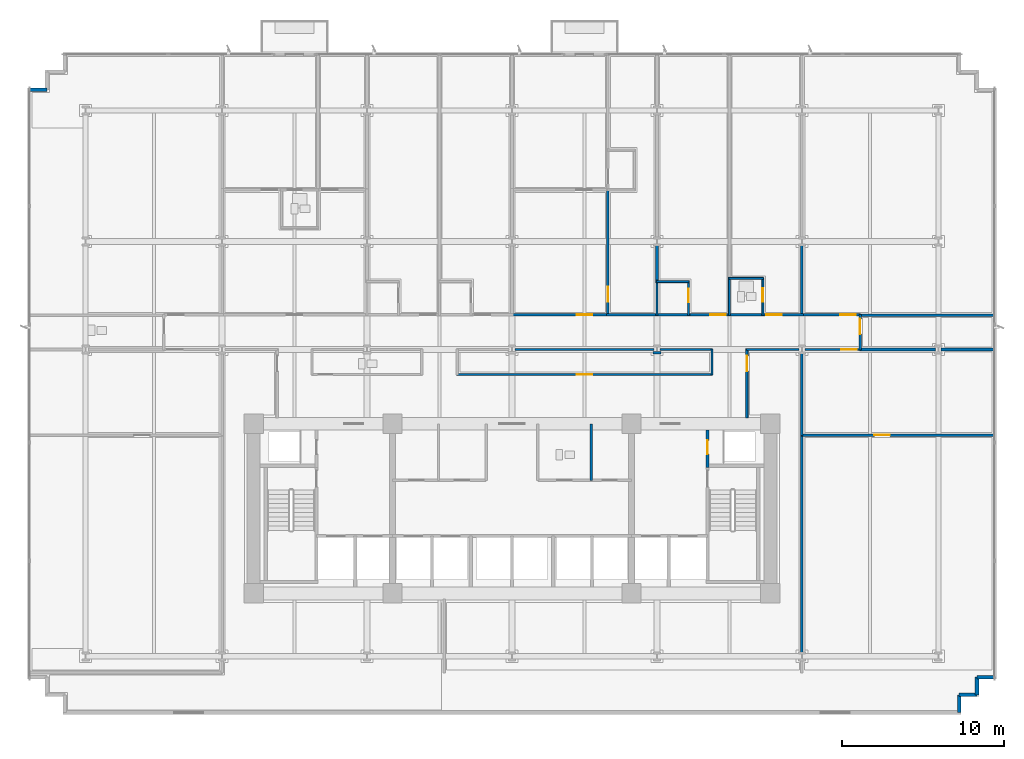
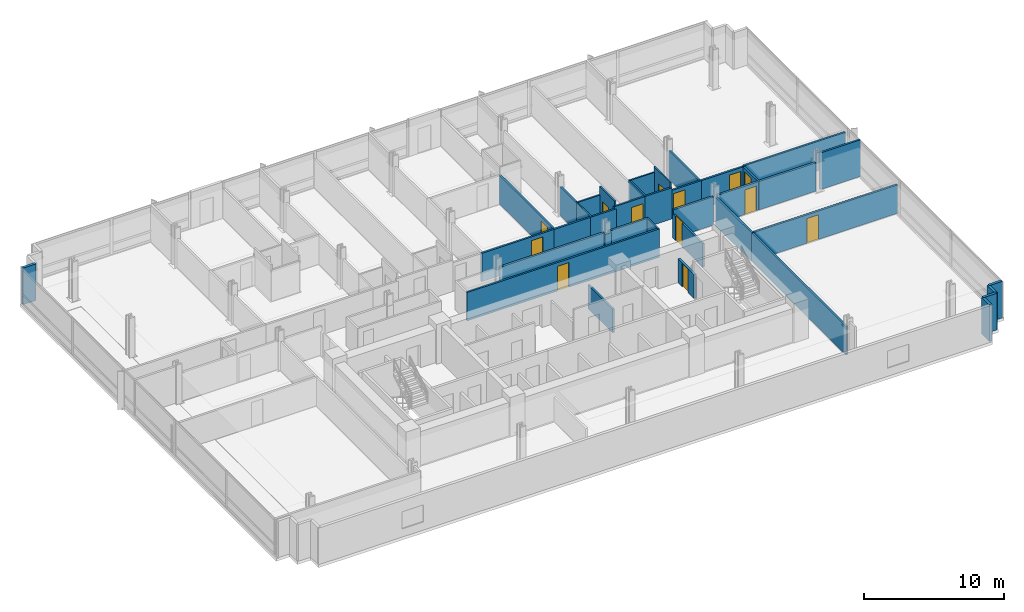
# One storey, part 10 of 15: 38 walls, 13 doors, 13 openings.
"""IFC4 building model written with IfcOpenShell, lengths in metres."""

from ifc_helpers import new_model, si_unit, direction, frame, frame_2d, origin, place, context, subcontext, project, spatial, rectangle, extrude, material, layer, layer_set, type_object, element, fill, save


model = new_model("IFC4")

# Units and contexts
model_context = context("Model", 3, precision=1e-05, world=origin(), true_north=direction((0.0, 1.0)))
body_context = subcontext(model_context, "Body", "Model", "MODEL_VIEW")
ifc_project = project(units=[si_unit("LENGTHUNIT", "METRE"), si_unit("AREAUNIT", "SQUARE_METRE"), si_unit("VOLUMEUNIT", "CUBIC_METRE"), si_unit("PLANEANGLEUNIT", "RADIAN"), si_unit("MASSUNIT", "GRAM", prefix="KILO")], contexts=[model_context])

# Site, building, storey
site_placement = place(None, origin())
site = spatial("IfcSite", under=ifc_project, at=site_placement, CompositionType="ELEMENT")
building_placement = place(site_placement, origin())
building = spatial("IfcBuilding", under=site, at=building_placement, Name="Solmavex Isthmus Hotel", CompositionType="ELEMENT")
storey_placement = place(building_placement, frame((0.0, 0.0, 64.35009765625)))
storey = spatial("IfcBuildingStorey", under=building, at=storey_placement, Name="L17", CompositionType="ELEMENT", Elevation=64.35009765625)

# Walls
ifc_material_1 = material(Name="Precast Concrete C40/50", Category="concrete")
ifc_layer_1 = layer(ifc_material_1, 0.25)
ifc_layer_set_1 = layer_set([ifc_layer_1], Name="Precast Concrete C40/50")
wall_type_1 = type_object("IfcWallType", Name="EW-TWR-250", PredefinedType="STANDARD", material=ifc_layer_set_1)
for number, where, z_axis, x_axis, name in (
    (1, (-29.889892578125, 18.18994140625, 0.0), (0.0, 0.0, 1.0), (1.0, 0.0, 0.0), "Serrated Corner Facade Panel L17-06"),
    (2, (29.889892578125, -18.18994140625, 0.0), (0.0, 0.0, 1.0), (-1.0, 0.0, 0.0), "Serrated Corner Facade Panel L17-16"),
):
    element("IfcWall", number, at=place(storey_placement, frame(where, z_axis=z_axis, x_axis=x_axis)), inside=storey, type_object=wall_type_1, Name=name, PredefinedType="STANDARD", context=body_context, shape_type="SweptSolid", body=[
        extrude(rectangle(XDim=1.099853515625, YDim=0.219970703125, at=frame_2d((0.5498046875, 0.0))), origin(), (0.0, 0.0, 1.0), 3.18994140625),
    ])
for number, where, z_axis, x_axis, name in (
    (3, (28.7900390625, -18.18994140625, 0.0), (0.0, 0.0, 1.0), (0.0, -1.0, 0.0), "Serrated Corner Facade Panel L17-17"),
    (4, (28.7900390625, -19.2900390625, 0.0), (0.0, 0.0, 1.0), (-1.0, 0.0, 0.0), "Serrated Corner Facade Panel L17-18"),
):
    element("IfcWall", number, at=place(storey_placement, frame(where, z_axis=z_axis, x_axis=x_axis)), inside=storey, type_object=wall_type_1, Name=name, PredefinedType="STANDARD", context=body_context, shape_type="SweptSolid", body=[
        extrude(rectangle(XDim=1.10009765625, YDim=0.219970703125, at=frame_2d((0.550048828125, 0.0))), origin(), (0.0, 0.0, 1.0), 3.18994140625),
    ])
wall_1_placement = place(storey_placement, frame((27.68994140625, -19.2900390625, 0.0), z_axis=(0.0, 0.0, 1.0), x_axis=(0.0, -1.0, 0.0)))
element("IfcWall", 5, at=wall_1_placement, inside=storey, type_object=wall_type_1, Name="Serrated Corner Facade Panel L17-19", PredefinedType="STANDARD", context=body_context, shape_type="SweptSolid", body=[
    extrude(rectangle(XDim=1.099853515625, YDim=0.219970703125, at=frame_2d((0.5498046875, 0.0))), origin(), (0.0, 0.0, 1.0), 3.18994140625),
])

# Wall, opening, door
ifc_material_2 = material(Name="Gypsum plasterboard lining", Category="gypsum")
ifc_layer_2 = layer(ifc_material_2, 0.159912109375)
ifc_layer_set_2 = layer_set([ifc_layer_2], Name="Gypsum plasterboard lining")
wall_type_2 = type_object("IfcWallType", Name="IW-COMP-160", PredefinedType="PARTITIONING", material=ifc_layer_set_2)
wall_2_placement = place(storey_placement, frame((5.93798828125, 12.028076171875, 0.0), z_axis=(0.0, 0.0, 1.0), x_axis=(0.0, -1.0, 0.0)))
wall_2 = element("IfcWall", 6, at=wall_2_placement, inside=storey, type_object=wall_type_2, Name="Interior Partition Wall W-L17-P064", PredefinedType="PARTITIONING", context=body_context, shape_type="SweptSolid", body=[
    extrude(rectangle(XDim=7.818115234375, YDim=0.159912109375, at=frame_2d((3.9091796875, 0.0))), origin(), (0.0, 0.0, 1.0), 2.4794921875),
])
opening_1_placement = place(wall_2_placement, frame((6.033935546875, 0.0, 0.0)))
opening_1 = element("IfcOpeningElement", 7, at=opening_1_placement, cuts=wall_2, Name="Opening ID-C095", PredefinedType="OPENING", context=body_context, shape_type="SweptSolid", body=[
    extrude(rectangle(XDim=0.949951171875, YDim=2.14990234375, at=frame_2d((0.47509765625, 1.074951171875))), frame((0.0, 0.08984375, 0.0), z_axis=(0.0, -1.0, 0.0), x_axis=(1.0, 0.0, 0.0)), (0.0, 0.0, 1.0), 0.179931640625),
])
ifc_material_3 = material(Name="Hardwood timber", Category="wood")
door_type_1 = type_object("IfcDoorType", Name="IDR-FD60-0950", OperationType="NOTDEFINED", PredefinedType="DOOR", material=ifc_material_3)
door_1_placement = place(opening_1_placement, frame((0.949951171875, 0.0, 0.0), z_axis=(0.0, 0.0, 1.0), x_axis=(-1.0, 0.0, 0.0)))
door_1 = element("IfcDoor", 8, at=door_1_placement, inside=storey, type_object=door_type_1, Name="Premier Suite Living Lounge Door L17-12", OperationType="SINGLE_SWING_RIGHT", OverallHeight=2.14990234375, OverallWidth=0.949951171875, PredefinedType="DOOR", context=body_context, shape_type="SweptSolid", body=[
    extrude(rectangle(XDim=0.949951171875, YDim=2.14990234375, at=frame_2d((0.47509765625, 1.074951171875))), frame((0.0, 0.02490234375, 0.0), z_axis=(0.0, -1.0, 0.0), x_axis=(1.0, 0.0, 0.0)), (0.0, 0.0, 1.0), 0.050048828125),
])
fill(opening_1, door_1)

# Walls
wall_3_placement = place(storey_placement, frame((8.97607421875, 8.613037109375, 0.0), z_axis=(0.0, 0.0, 1.0), x_axis=(0.0, -1.0, 0.0)))
element("IfcWall", 9, at=wall_3_placement, inside=storey, type_object=wall_type_2, Name="Interior Partition Wall W-L17-P070", PredefinedType="PARTITIONING", context=body_context, shape_type="SweptSolid", body=[
    extrude(rectangle(XDim=2.39501953125, YDim=0.159912109375, at=frame_2d((1.197509765625, 0.0))), origin(), (0.0, 0.0, 1.0), 2.4794921875),
])
wall_4_placement = place(storey_placement, frame((17.951904296875, 8.613037109375, 0.0), z_axis=(0.0, 0.0, 1.0), x_axis=(0.0, -1.0, 0.0)))
element("IfcWall", 10, at=wall_4_placement, inside=storey, type_object=wall_type_2, Name="Interior Partition Wall W-L17-P080", PredefinedType="PARTITIONING", context=body_context, shape_type="SweptSolid", body=[
    extrude(rectangle(XDim=4.403076171875, YDim=0.159912109375, at=frame_2d((2.20166015625, 0.0))), origin(), (0.0, 0.0, 1.0), 2.4794921875),
])
wall_5_placement = place(storey_placement, frame((29.919921875, 4.22998046875, 0.0), z_axis=(0.0, 0.0, 1.0), x_axis=(-1.0, 0.0, 0.0)))
element("IfcWall", 11, at=wall_5_placement, inside=storey, type_object=wall_type_2, Name="Interior Partition Wall W-L17-P083", PredefinedType="PARTITIONING", context=body_context, shape_type="SweptSolid", body=[
    extrude(rectangle(XDim=8.407958984375, YDim=0.159912109375, at=frame_2d((4.2041015625, 0.0))), origin(), (0.0, 0.0, 1.0), 2.55322265625),
])
wall_6_placement = place(storey_placement, frame((26.22509765625, 2.10009765625, 0.0), z_axis=(0.0, 0.0, 1.0), x_axis=(-1.0, 0.0, 0.0)))
element("IfcWall", 12, at=wall_6_placement, inside=storey, type_object=wall_type_2, Name="Interior Partition Wall W-L17-P086", PredefinedType="PARTITIONING", context=body_context, shape_type="SweptSolid", body=[
    extrude(rectangle(XDim=4.713134765625, YDim=0.159912109375, at=frame_2d((2.3564453125, 0.0))), origin(), (0.0, 0.0, 1.0), 2.4794921875),
])
wall_7_placement = place(storey_placement, frame((29.919921875, 2.10009765625, 0.0), z_axis=(0.0, 0.0, 1.0), x_axis=(-1.0, 0.0, 0.0)))
element("IfcWall", 13, at=wall_7_placement, inside=storey, type_object=wall_type_2, Name="Interior Partition Wall W-L17-P087", PredefinedType="PARTITIONING", context=body_context, shape_type="SweptSolid", body=[
    extrude(rectangle(XDim=3.344970703125, YDim=0.159912109375, at=frame_2d((1.67236328125, 0.0))), origin(), (0.0, 0.0, 1.0), 3.18994140625),
])
wall_8_placement = place(storey_placement, frame((17.951904296875, -3.239990234375, 0.0), z_axis=(0.0, 0.0, 1.0), x_axis=(0.0, 1.0, 0.0)))
element("IfcWall", 14, at=wall_8_placement, inside=storey, type_object=wall_type_2, Name="Interior Partition Wall W-L17-P090", PredefinedType="PARTITIONING", context=body_context, shape_type="SweptSolid", body=[
    extrude(rectangle(XDim=5.1650390625, YDim=0.159912109375, at=frame_2d((2.58251953125, 0.0))), origin(), (0.0, 0.0, 1.0), 2.4794921875),
])

# Wall, opening, door
wall_9_placement = place(storey_placement, frame((29.919921875, -3.199951171875, 0.0), z_axis=(0.0, 0.0, 1.0), x_axis=(-1.0, 0.0, 0.0)))
wall_9 = element("IfcWall", 15, at=wall_9_placement, inside=storey, type_object=wall_type_2, Name="Interior Partition Wall W-L17-P091", PredefinedType="PARTITIONING", context=body_context, shape_type="SweptSolid", body=[
    extrude(rectangle(XDim=12.0078125, YDim=0.159912109375, at=frame_2d((6.00390625, 0.0))), origin(), (0.0, 0.0, 1.0), 2.4794921875),
])
opening_2_placement = place(wall_9_placement, frame((6.531005859375, 0.0, 0.0)))
opening_2 = element("IfcOpeningElement", 16, at=opening_2_placement, cuts=wall_9, Name="Opening ID-C095", PredefinedType="OPENING", context=body_context, shape_type="SweptSolid", body=[
    extrude(rectangle(XDim=0.949951171875, YDim=2.14990234375, at=frame_2d((0.47509765625, 1.074951171875))), frame((0.0, 0.08984375, 0.0), z_axis=(0.0, -1.0, 0.0), x_axis=(1.0, 0.0, 0.0)), (0.0, 0.0, 1.0), 0.179931640625),
])
door_2_placement = place(opening_2_placement, origin())
door_2 = element("IfcDoor", 17, at=door_2_placement, inside=storey, type_object=door_type_1, Name="Corporate Briefing Office Door L17-28", OperationType="SINGLE_SWING_RIGHT", OverallHeight=2.14990234375, OverallWidth=0.949951171875, PredefinedType="DOOR", context=body_context, shape_type="SweptSolid", body=[
    extrude(rectangle(XDim=0.949951171875, YDim=2.14990234375, at=frame_2d((0.47509765625, 1.074951171875))), frame((0.0, 0.02490234375, 0.0), z_axis=(0.0, -1.0, 0.0), x_axis=(1.0, 0.0, 0.0)), (0.0, 0.0, 1.0), 0.050048828125),
])
fill(opening_2, door_2)

# Wall
wall_10_placement = place(storey_placement, frame((17.951904296875, -3.117919921875, 0.0), z_axis=(0.0, 0.0, 1.0), x_axis=(0.0, -1.0, 0.0)))
element("IfcWall", 18, at=wall_10_placement, inside=storey, type_object=wall_type_2, Name="Interior Partition Wall W-L17-P094", PredefinedType="PARTITIONING", context=body_context, shape_type="SweptSolid", body=[
    extrude(rectangle(XDim=13.607177734375, YDim=0.159912109375, at=frame_2d((6.8037109375, 0.0))), origin(), (0.0, 0.0, 1.0), 2.4794921875),
])

# Wall, opening, door
ifc_layer_3 = layer(ifc_material_2, 0.14990234375)
ifc_layer_set_3 = layer_set([ifc_layer_3], Name="Gypsum plasterboard lining")
wall_type_3 = type_object("IfcWallType", Name="IW-CORR-150", PredefinedType="PARTITIONING", material=ifc_layer_set_3)
wall_11_placement = place(storey_placement, frame((-0.08203125, 4.25, 0.0), z_axis=(0.0, 0.0, 1.0), x_axis=(1.0, 0.0, 0.0)))
wall_11 = element("IfcWall", 19, at=wall_11_placement, inside=storey, type_object=wall_type_3, Name="Interior Partition Wall W-L17-P007", PredefinedType="PARTITIONING", context=body_context, shape_type="SweptSolid", body=[
    extrude(rectangle(XDim=6.10205078125, YDim=0.14990234375, at=frame_2d((3.051025390625, 0.0))), origin(), (0.0, 0.0, 1.0), 2.4794921875),
])
opening_3_placement = place(wall_11_placement, frame((4.093505859375, 0.0, 0.0)))
opening_3 = element("IfcOpeningElement", 20, at=opening_3_placement, cuts=wall_11, Name="Opening ID-C095", PredefinedType="OPENING", context=body_context, shape_type="SweptSolid", body=[
    extrude(rectangle(XDim=0.949951171875, YDim=2.14990234375, at=frame_2d((0.47509765625, 1.074951171875))), frame((0.0, 0.0849609375, 0.0), z_axis=(0.0, -1.0, 0.0), x_axis=(1.0, 0.0, 0.0)), (0.0, 0.0, 1.0), 0.169921875),
])
door_3_placement = place(opening_3_placement, origin())
door_3 = element("IfcDoor", 21, at=door_3_placement, inside=storey, type_object=door_type_1, Name="Premier Suite Entrance Hall Door L17-10", OperationType="SINGLE_SWING_RIGHT", OverallHeight=2.14990234375, OverallWidth=0.949951171875, PredefinedType="DOOR", context=body_context, shape_type="SweptSolid", body=[
    extrude(rectangle(XDim=0.949951171875, YDim=2.14990234375, at=frame_2d((0.47509765625, 1.074951171875))), frame((0.0, 0.02490234375, 0.0), z_axis=(0.0, -1.0, 0.0), x_axis=(1.0, 0.0, 0.0)), (0.0, 0.0, 1.0), 0.050048828125),
])
fill(opening_3, door_3)

# Wall
wall_12_placement = place(storey_placement, frame((5.85595703125, 4.25, 0.0), z_axis=(0.0, 0.0, 1.0), x_axis=(1.0, 0.0, 0.0)))
element("IfcWall", 22, at=wall_12_placement, inside=storey, type_object=wall_type_3, Name="Interior Partition Wall W-L17-P008", PredefinedType="PARTITIONING", context=body_context, shape_type="SweptSolid", body=[
    extrude(rectangle(XDim=3.2021484375, YDim=0.14990234375, at=frame_2d((1.60107421875, 0.0))), origin(), (0.0, 0.0, 1.0), 2.4794921875),
])

# Wall, opening, door
wall_13_placement = place(storey_placement, frame((10.843994140625, 4.25, 0.0), z_axis=(0.0, 0.0, 1.0), x_axis=(1.0, 0.0, 0.0)))
wall_13 = element("IfcWall", 23, at=wall_13_placement, inside=storey, type_object=wall_type_3, Name="Interior Partition Wall W-L17-P009", PredefinedType="PARTITIONING", context=body_context, shape_type="SweptSolid", body=[
    extrude(rectangle(XDim=2.701904296875, YDim=0.14990234375, at=frame_2d((1.35107421875, 0.0))), origin(), (0.0, 0.0, 1.0), 2.718017578125),
])
opening_4_placement = place(wall_13_placement, frame((1.426513671875, 0.0, 0.0)))
opening_4 = element("IfcOpeningElement", 24, at=opening_4_placement, cuts=wall_13, Name="Opening ID-C095", PredefinedType="OPENING", context=body_context, shape_type="SweptSolid", body=[
    extrude(rectangle(XDim=0.949951171875, YDim=2.14990234375, at=frame_2d((0.47509765625, 1.074951171875))), frame((0.0, 0.0849609375, 0.0), z_axis=(0.0, -1.0, 0.0), x_axis=(1.0, 0.0, 0.0)), (0.0, 0.0, 1.0), 0.169921875),
])
door_4_placement = place(opening_4_placement, origin())
door_4 = element("IfcDoor", 25, at=door_4_placement, inside=storey, type_object=door_type_1, Name="Club Guest Room Door L17-14", OperationType="SINGLE_SWING_RIGHT", OverallHeight=2.14990234375, OverallWidth=0.949951171875, PredefinedType="DOOR", context=body_context, shape_type="SweptSolid", body=[
    extrude(rectangle(XDim=0.949951171875, YDim=2.14990234375, at=frame_2d((0.47509765625, 1.074951171875))), frame((0.0, 0.02490234375, 0.0), z_axis=(0.0, -1.0, 0.0), x_axis=(1.0, 0.0, 0.0)), (0.0, 0.0, 1.0), 0.050048828125),
])
fill(opening_4, door_4)

# Wall
wall_14_placement = place(storey_placement, frame((8.89404296875, 4.25, 0.0), z_axis=(0.0, 0.0, 1.0), x_axis=(1.0, 0.0, 0.0)))
element("IfcWall", 26, at=wall_14_placement, inside=storey, type_object=wall_type_3, Name="Interior Partition Wall W-L17-P010", PredefinedType="PARTITIONING", context=body_context, shape_type="SweptSolid", body=[
    extrude(rectangle(XDim=2.114013671875, YDim=0.14990234375, at=frame_2d((1.05712890625, 0.0))), origin(), (0.0, 0.0, 1.0), 2.4794921875),
])

# Wall, opening, door
wall_15_placement = place(storey_placement, frame((15.446533203125, 4.25, 0.0), z_axis=(0.0, 0.0, 1.0), x_axis=(1.0, 0.0, 0.0)))
wall_15 = element("IfcWall", 27, at=wall_15_placement, inside=storey, type_object=wall_type_3, Name="Interior Partition Wall W-L17-P011", PredefinedType="PARTITIONING", context=body_context, shape_type="SweptSolid", body=[
    extrude(rectangle(XDim=2.58740234375, YDim=0.14990234375, at=frame_2d((1.293701171875, 0.0))), origin(), (0.0, 0.0, 1.0), 2.4794921875),
])
opening_5_placement = place(wall_15_placement, frame((0.292236328125, 0.0, 0.0)))
opening_5 = element("IfcOpeningElement", 28, at=opening_5_placement, cuts=wall_15, Name="Opening ID-C095", PredefinedType="OPENING", context=body_context, shape_type="SweptSolid", body=[
    extrude(rectangle(XDim=0.949951171875, YDim=2.14990234375, at=frame_2d((0.47509765625, 1.074951171875))), frame((0.0, 0.0849609375, 0.0), z_axis=(0.0, -1.0, 0.0), x_axis=(1.0, 0.0, 0.0)), (0.0, 0.0, 1.0), 0.169921875),
])
door_5_placement = place(opening_5_placement, origin())
door_5 = element("IfcDoor", 29, at=door_5_placement, inside=storey, type_object=door_type_1, Name="Superior King Room Door L17-16", OperationType="SINGLE_SWING_RIGHT", OverallHeight=2.14990234375, OverallWidth=0.949951171875, PredefinedType="DOOR", context=body_context, shape_type="SweptSolid", body=[
    extrude(rectangle(XDim=0.949951171875, YDim=2.14990234375, at=frame_2d((0.47509765625, 1.074951171875))), frame((0.0, 0.02490234375, 0.0), z_axis=(0.0, -1.0, 0.0), x_axis=(1.0, 0.0, 0.0)), (0.0, 0.0, 1.0), 0.050048828125),
])
fill(opening_5, door_5)

# Wall
wall_16_placement = place(storey_placement, frame((13.382080078125, 4.25, 0.0), z_axis=(0.0, 0.0, 1.0), x_axis=(1.0, 0.0, 0.0)))
element("IfcWall", 30, at=wall_16_placement, inside=storey, type_object=wall_type_3, Name="Interior Partition Wall W-L17-P012", PredefinedType="PARTITIONING", context=body_context, shape_type="SweptSolid", body=[
    extrude(rectangle(XDim=2.228515625, YDim=0.14990234375, at=frame_2d((1.1142578125, 0.0))), origin(), (0.0, 0.0, 1.0), 2.718017578125),
])

# Wall, opening, door
wall_17_placement = place(storey_placement, frame((17.8701171875, 4.25, 0.0), z_axis=(0.0, 0.0, 1.0), x_axis=(1.0, 0.0, 0.0)))
wall_17 = element("IfcWall", 31, at=wall_17_placement, inside=storey, type_object=wall_type_3, Name="Interior Partition Wall W-L17-P013", PredefinedType="PARTITIONING", context=body_context, shape_type="SweptSolid", body=[
    extrude(rectangle(XDim=3.721923828125, YDim=0.14990234375, at=frame_2d((1.86083984375, 0.0))), origin(), (0.0, 0.0, 1.0), 2.4794921875),
])
opening_6_placement = place(wall_17_placement, frame((2.456787109375, 0.0, 0.0)))
opening_6 = element("IfcOpeningElement", 32, at=opening_6_placement, cuts=wall_17, Name="Opening ID-C095", PredefinedType="OPENING", context=body_context, shape_type="SweptSolid", body=[
    extrude(rectangle(XDim=0.949951171875, YDim=2.14990234375, at=frame_2d((0.47509765625, 1.074951171875))), frame((0.0, 0.0849609375, 0.0), z_axis=(0.0, -1.0, 0.0), x_axis=(1.0, 0.0, 0.0)), (0.0, 0.0, 1.0), 0.169921875),
])
door_6_placement = place(opening_6_placement, origin())
door_6 = element("IfcDoor", 33, at=door_6_placement, inside=storey, type_object=door_type_1, Name="Corporate Briefing Office Door L17-18", OperationType="SINGLE_SWING_RIGHT", OverallHeight=2.14990234375, OverallWidth=0.949951171875, PredefinedType="DOOR", context=body_context, shape_type="SweptSolid", body=[
    extrude(rectangle(XDim=0.949951171875, YDim=2.14990234375, at=frame_2d((0.47509765625, 1.074951171875))), frame((0.0, 0.02490234375, 0.0), z_axis=(0.0, -1.0, 0.0), x_axis=(1.0, 0.0, 0.0)), (0.0, 0.0, 1.0), 0.050048828125),
])
fill(opening_6, door_6)

wall_18_placement = place(storey_placement, frame((21.552001953125, 4.27001953125, 0.0), z_axis=(0.0, 0.0, 1.0), x_axis=(0.0, -1.0, 0.0)))
wall_18 = element("IfcWall", 34, at=wall_18_placement, inside=storey, type_object=wall_type_3, Name="Interior Partition Wall W-L17-P021", PredefinedType="PARTITIONING", context=body_context, shape_type="SweptSolid", body=[
    extrude(rectangle(XDim=2.2099609375, YDim=0.14990234375, at=frame_2d((1.10498046875, 0.0))), origin(), (0.0, 0.0, 1.0), 2.4794921875),
])
opening_7_placement = place(wall_18_placement, frame((0.272216796875, 0.0, 0.0)))
opening_7 = element("IfcOpeningElement", 35, at=opening_7_placement, cuts=wall_18, Name="Opening ID-C095", PredefinedType="OPENING", context=body_context, shape_type="SweptSolid", body=[
    extrude(rectangle(XDim=0.949951171875, YDim=2.14990234375, at=frame_2d((0.47509765625, 1.074951171875))), frame((0.0, 0.0849609375, 0.0), z_axis=(0.0, -1.0, 0.0), x_axis=(1.0, 0.0, 0.0)), (0.0, 0.0, 1.0), 0.169921875),
])
door_7_placement = place(opening_7_placement, origin())
door_7 = element("IfcDoor", 36, at=door_7_placement, inside=storey, type_object=door_type_1, Name="Yoga Fitness Studio Door L17-21", OperationType="SINGLE_SWING_LEFT", OverallHeight=2.14990234375, OverallWidth=0.949951171875, PredefinedType="DOOR", context=body_context, shape_type="SweptSolid", body=[
    extrude(rectangle(XDim=0.949951171875, YDim=2.14990234375, at=frame_2d((0.47509765625, 1.074951171875))), frame((0.0, 0.02490234375, 0.0), z_axis=(0.0, -1.0, 0.0), x_axis=(1.0, 0.0, 0.0)), (0.0, 0.0, 1.0), 0.050048828125),
])
fill(opening_7, door_7)

# Wall
wall_19_placement = place(storey_placement, frame((8.801025390625, 2.10009765625, 0.0), z_axis=(0.0, 0.0, 1.0), x_axis=(-1.0, 0.0, 0.0)))
element("IfcWall", 37, at=wall_19_placement, inside=storey, type_object=wall_type_3, Name="Interior Partition Wall W-L17-P022", PredefinedType="PARTITIONING", context=body_context, shape_type="SweptSolid", body=[
    extrude(rectangle(XDim=8.6259765625, YDim=0.14990234375, at=frame_2d((4.31298828125, 0.0))), origin(), (0.0, 0.0, 1.0), 2.4794921875),
])

# Wall, opening, door
wall_20_placement = place(storey_placement, frame((-3.427978515625, 0.550048828125, 0.0), z_axis=(0.0, 0.0, 1.0), x_axis=(1.0, 0.0, 0.0)))
wall_20 = element("IfcWall", 38, at=wall_20_placement, inside=storey, type_object=wall_type_3, Name="Interior Partition Wall W-L17-P026", PredefinedType="PARTITIONING", context=body_context, shape_type="SweptSolid", body=[
    extrude(rectangle(XDim=15.85205078125, YDim=0.14990234375, at=frame_2d((7.926025390625, 0.0))), origin(), (0.0, 0.0, 1.0), 2.4794921875),
])
opening_8_placement = place(wall_20_placement, frame((7.450927734375, 0.0, 0.0)))
opening_8 = element("IfcOpeningElement", 39, at=opening_8_placement, cuts=wall_20, Name="Opening ID-C095", PredefinedType="OPENING", context=body_context, shape_type="SweptSolid", body=[
    extrude(rectangle(XDim=0.949951171875, YDim=2.14990234375, at=frame_2d((0.47509765625, 1.074951171875))), frame((0.0, 0.0849609375, 0.0), z_axis=(0.0, -1.0, 0.0), x_axis=(1.0, 0.0, 0.0)), (0.0, 0.0, 1.0), 0.169921875),
])
door_8_placement = place(opening_8_placement, origin())
door_8 = element("IfcDoor", 40, at=door_8_placement, inside=storey, type_object=door_type_1, Name="Executive Boardroom Door L17-22", OperationType="SINGLE_SWING_RIGHT", OverallHeight=2.14990234375, OverallWidth=0.949951171875, PredefinedType="DOOR", context=body_context, shape_type="SweptSolid", body=[
    extrude(rectangle(XDim=0.949951171875, YDim=2.14990234375, at=frame_2d((0.47509765625, 1.074951171875))), frame((0.0, 0.02490234375, 0.0), z_axis=(0.0, -1.0, 0.0), x_axis=(1.0, 0.0, 0.0)), (0.0, 0.0, 1.0), 0.050048828125),
])
fill(opening_8, door_8)

# Walls
wall_21_placement = place(storey_placement, frame((12.384033203125, 0.510009765625, 0.0), z_axis=(0.0, 0.0, 1.0), x_axis=(0.0, 1.0, 0.0)))
element("IfcWall", 41, at=wall_21_placement, inside=storey, type_object=wall_type_3, Name="Interior Partition Wall W-L17-P027", PredefinedType="PARTITIONING", context=body_context, shape_type="SweptSolid", body=[
    extrude(rectangle(XDim=1.6298828125, YDim=0.14990234375, at=frame_2d((0.81494140625, 0.0))), origin(), (0.0, 0.0, 1.0), 2.4794921875),
])
wall_22_placement = place(storey_placement, frame((12.424072265625, 2.10009765625, 0.0), z_axis=(0.0, 0.0, 1.0), x_axis=(-1.0, 0.0, 0.0)))
element("IfcWall", 42, at=wall_22_placement, inside=storey, type_object=wall_type_3, Name="Interior Partition Wall W-L17-P028", PredefinedType="PARTITIONING", context=body_context, shape_type="SweptSolid", body=[
    extrude(rectangle(XDim=3.273193359375, YDim=0.14990234375, at=frame_2d((1.63671875, 0.0))), origin(), (0.0, 0.0, 1.0), 2.4794921875),
])
wall_23_placement = place(storey_placement, frame((9.23095703125, 1.885009765625, 0.0), z_axis=(0.0, 0.0, 1.0), x_axis=(-1.0, 0.0, 0.0)))
element("IfcWall", 43, at=wall_23_placement, inside=storey, type_object=wall_type_3, Name="Interior Partition Wall W-L17-P029", PredefinedType="PARTITIONING", context=body_context, shape_type="SweptSolid", body=[
    extrude(rectangle(XDim=0.510009765625, YDim=0.14990234375, at=frame_2d((0.2548828125, 0.0))), origin(), (0.0, 0.0, 1.0), 2.4794921875),
])

# Wall, opening, door
wall_24_placement = place(storey_placement, frame((21.592041015625, 2.10009765625, 0.0), z_axis=(0.0, 0.0, 1.0), x_axis=(-1.0, 0.0, 0.0)))
wall_24 = element("IfcWall", 44, at=wall_24_placement, inside=storey, type_object=wall_type_3, Name="Interior Partition Wall W-L17-P031", PredefinedType="PARTITIONING", context=body_context, shape_type="SweptSolid", body=[
    extrude(rectangle(XDim=3.465087890625, YDim=0.14990234375, at=frame_2d((1.732421875, 0.0))), origin(), (0.0, 0.0, 1.0), 2.4794921875),
])
opening_9_placement = place(wall_24_placement, frame((0.26220703125, 0.0, 0.0)))
opening_9 = element("IfcOpeningElement", 45, at=opening_9_placement, cuts=wall_24, Name="Opening ID-C095", PredefinedType="OPENING", context=body_context, shape_type="SweptSolid", body=[
    extrude(rectangle(XDim=0.949951171875, YDim=2.14990234375, at=frame_2d((0.47509765625, 1.074951171875))), frame((0.0, 0.0849609375, 0.0), z_axis=(0.0, -1.0, 0.0), x_axis=(1.0, 0.0, 0.0)), (0.0, 0.0, 1.0), 0.169921875),
])
door_9_placement = place(opening_9_placement, origin())
door_9 = element("IfcDoor", 46, at=door_9_placement, inside=storey, type_object=door_type_1, Name="Executive Boardroom Door L17-24", OperationType="SINGLE_SWING_RIGHT", OverallHeight=2.14990234375, OverallWidth=0.949951171875, PredefinedType="DOOR", context=body_context, shape_type="SweptSolid", body=[
    extrude(rectangle(XDim=0.949951171875, YDim=2.14990234375, at=frame_2d((0.47509765625, 1.074951171875))), frame((0.0, 0.02490234375, 0.0), z_axis=(0.0, -1.0, 0.0), x_axis=(1.0, 0.0, 0.0)), (0.0, 0.0, 1.0), 0.050048828125),
])
fill(opening_9, door_9)

# Wall
wall_25_placement = place(storey_placement, frame((17.777099609375, 2.10009765625, 0.0), z_axis=(0.0, 0.0, 1.0), x_axis=(-1.0, 0.0, 0.0)))
element("IfcWall", 47, at=wall_25_placement, inside=storey, type_object=wall_type_3, Name="Interior Partition Wall W-L17-P032", PredefinedType="PARTITIONING", context=body_context, shape_type="SweptSolid", body=[
    extrude(rectangle(XDim=3.273193359375, YDim=0.14990234375, at=frame_2d((1.63671875, 0.0))), origin(), (0.0, 0.0, 1.0), 2.4794921875),
])

# Wall, opening, door
wall_26_placement = place(storey_placement, frame((14.5439453125, 2.139892578125, 0.0), z_axis=(0.0, 0.0, 1.0), x_axis=(0.0, -1.0, 0.0)))
wall_26 = element("IfcWall", 48, at=wall_26_placement, inside=storey, type_object=wall_type_3, Name="Interior Partition Wall W-L17-P033", PredefinedType="PARTITIONING", context=body_context, shape_type="SweptSolid", body=[
    extrude(rectangle(XDim=4.27978515625, YDim=0.14990234375, at=frame_2d((2.139892578125, 0.0))), origin(), (0.0, 0.0, 1.0), 2.074951171875),
])
opening_10_placement = place(wall_26_placement, frame((0.43017578125, 0.0, 0.0)))
opening_10 = element("IfcOpeningElement", 49, at=opening_10_placement, cuts=wall_26, Name="Opening ID-C095", PredefinedType="OPENING", context=body_context, shape_type="SweptSolid", body=[
    extrude(rectangle(XDim=0.949951171875, YDim=2.14990234375, at=frame_2d((0.47509765625, 1.074951171875))), frame((0.0, 0.0849609375, 0.0), z_axis=(0.0, -1.0, 0.0), x_axis=(1.0, 0.0, 0.0)), (0.0, 0.0, 1.0), 0.169921875),
])
door_10_placement = place(opening_10_placement, frame((0.949951171875, 0.0, 0.0), z_axis=(0.0, 0.0, 1.0), x_axis=(-1.0, 0.0, 0.0)))
door_10 = element("IfcDoor", 50, at=door_10_placement, inside=storey, type_object=door_type_1, Name="Executive Hospitality Lounge Door L17-25", OperationType="SINGLE_SWING_LEFT", OverallHeight=2.14990234375, OverallWidth=0.949951171875, PredefinedType="DOOR", context=body_context, shape_type="SweptSolid", body=[
    extrude(rectangle(XDim=0.949951171875, YDim=2.14990234375, at=frame_2d((0.47509765625, 1.074951171875))), frame((0.0, 0.02490234375, 0.0), z_axis=(0.0, -1.0, 0.0), x_axis=(1.0, 0.0, 0.0)), (0.0, 0.0, 1.0), 0.050048828125),
])
fill(opening_10, door_10)

# Walls
ifc_layer_4 = layer(ifc_material_2, 0.1201171875)
ifc_layer_set_4 = layer_set([ifc_layer_4], Name="Gypsum plasterboard lining")
wall_type_4 = type_object("IfcWallType", Name="IW-PART-120", PredefinedType="PARTITIONING", material=ifc_layer_set_4)
wall_27_placement = place(storey_placement, frame((4.89990234375, -6.0, 0.0), z_axis=(0.0, 0.0, 1.0), x_axis=(0.0, 1.0, 0.0)))
element("IfcWall", 51, at=wall_27_placement, inside=storey, type_object=wall_type_4, Name="Interior Partition Wall W-L17-BOH-EM2", PredefinedType="PARTITIONING", context=body_context, shape_type="SweptSolid", body=[
    extrude(rectangle(XDim=3.5, YDim=0.14990234375, at=frame_2d((1.75, 0.0))), origin(), (0.0, 0.0, 1.0), 2.074951171875),
])
wall_28_placement = place(storey_placement, frame((8.97607421875, 6.382080078125, 0.0), z_axis=(0.0, 0.0, 1.0), x_axis=(0.0, -1.0, 0.0)))
element("IfcWall", 52, at=wall_28_placement, inside=storey, type_object=wall_type_4, Name="Interior Partition Wall W-L17-P073", PredefinedType="PARTITIONING", context=body_context, shape_type="SweptSolid", body=[
    extrude(rectangle(XDim=2.172119140625, YDim=0.1201171875, at=frame_2d((1.0859375, 0.0))), origin(), (0.0, 0.0, 1.0), 2.4794921875),
])

# Wall, opening, door
wall_29_placement = place(storey_placement, frame((10.926025390625, 4.2099609375, 0.0), z_axis=(0.0, 0.0, 1.0), x_axis=(0.0, 1.0, 0.0)))
wall_29 = element("IfcWall", 53, at=wall_29_placement, inside=storey, type_object=wall_type_4, Name="Interior Partition Wall W-L17-P074", PredefinedType="PARTITIONING", context=body_context, shape_type="SweptSolid", body=[
    extrude(rectangle(XDim=2.130126953125, YDim=0.1201171875, at=frame_2d((1.06494140625, 0.0))), origin(), (0.0, 0.0, 1.0), 3.18994140625),
])
opening_11_placement = place(wall_29_placement, frame((0.812255859375, 0.0, 0.0)))
opening_11 = element("IfcOpeningElement", 54, at=opening_11_placement, cuts=wall_29, Name="Opening ID-U085", PredefinedType="OPENING", context=body_context, shape_type="SweptSolid", body=[
    extrude(rectangle(XDim=0.85009765625, YDim=2.10009765625, at=frame_2d((0.425048828125, 1.050048828125))), frame((0.0, 0.070068359375, 0.0), z_axis=(0.0, -1.0, 0.0), x_axis=(1.0, 0.0, 0.0)), (0.0, 0.0, 1.0), 0.14013671875),
])
door_type_2 = type_object("IfcDoorType", Name="IDR-UNR-0850", OperationType="NOTDEFINED", PredefinedType="DOOR", material=ifc_material_3)
door_11_placement = place(opening_11_placement, frame((0.85009765625, 0.0, 0.0), z_axis=(0.0, 0.0, 1.0), x_axis=(-1.0, 0.0, 0.0)))
door_11 = element("IfcDoor", 55, at=door_11_placement, inside=storey, type_object=door_type_2, Name="En-suite Bathroom Door L17-15", OperationType="SINGLE_SWING_LEFT", OverallHeight=2.10009765625, OverallWidth=0.85009765625, PredefinedType="DOOR", context=body_context, shape_type="SweptSolid", body=[
    extrude(rectangle(XDim=0.85009765625, YDim=2.10009765625, at=frame_2d((0.425048828125, 1.050048828125))), frame((0.0, 0.02490234375, 0.0), z_axis=(0.0, -1.0, 0.0), x_axis=(1.0, 0.0, 0.0)), (0.0, 0.0, 1.0), 0.050048828125),
])
fill(opening_11, door_11)

# Walls
wall_30_placement = place(storey_placement, frame((10.966064453125, 6.300048828125, 0.0), z_axis=(0.0, 0.0, 1.0), x_axis=(-1.0, 0.0, 0.0)))
element("IfcWall", 56, at=wall_30_placement, inside=storey, type_object=wall_type_4, Name="Interior Partition Wall W-L17-P075", PredefinedType="PARTITIONING", context=body_context, shape_type="SweptSolid", body=[
    extrude(rectangle(XDim=2.030029296875, YDim=0.1201171875, at=frame_2d((1.01513671875, 0.0))), origin(), (0.0, 0.0, 1.0), 2.4794921875),
])
wall_31_placement = place(storey_placement, frame((13.464111328125, 6.58203125, 0.0), z_axis=(0.0, 0.0, 1.0), x_axis=(0.0, -1.0, 0.0)))
element("IfcWall", 57, at=wall_31_placement, inside=storey, type_object=wall_type_4, Name="Interior Partition Wall W-L17-P077", PredefinedType="PARTITIONING", context=body_context, shape_type="SweptSolid", body=[
    extrude(rectangle(XDim=2.3720703125, YDim=0.1201171875, at=frame_2d((1.18603515625, 0.0))), origin(), (0.0, 0.0, 1.0), 2.718017578125),
])

# Wall, opening, door
wall_32_placement = place(storey_placement, frame((15.528564453125, 4.2099609375, 0.0), z_axis=(0.0, 0.0, 1.0), x_axis=(0.0, 1.0, 0.0)))
wall_32 = element("IfcWall", 58, at=wall_32_placement, inside=storey, type_object=wall_type_4, Name="Interior Partition Wall W-L17-P078", PredefinedType="PARTITIONING", context=body_context, shape_type="SweptSolid", body=[
    extrude(rectangle(XDim=2.330078125, YDim=0.1201171875, at=frame_2d((1.1650390625, 0.0))), origin(), (0.0, 0.0, 1.0), 3.18994140625),
])
opening_12_placement = place(wall_32_placement, frame((0.83447265625, 0.0, 0.0)))
opening_12 = element("IfcOpeningElement", 59, at=opening_12_placement, cuts=wall_32, Name="Opening ID-U085", PredefinedType="OPENING", context=body_context, shape_type="SweptSolid", body=[
    extrude(rectangle(XDim=0.85009765625, YDim=2.10009765625, at=frame_2d((0.425048828125, 1.050048828125))), frame((0.0, 0.070068359375, 0.0), z_axis=(0.0, -1.0, 0.0), x_axis=(1.0, 0.0, 0.0)), (0.0, 0.0, 1.0), 0.14013671875),
])
door_12_placement = place(opening_12_placement, origin())
door_12 = element("IfcDoor", 60, at=door_12_placement, inside=storey, type_object=door_type_2, Name="En-suite Bathroom Door L17-17", OperationType="SINGLE_SWING_LEFT", OverallHeight=2.10009765625, OverallWidth=0.85009765625, PredefinedType="DOOR", context=body_context, shape_type="SweptSolid", body=[
    extrude(rectangle(XDim=0.85009765625, YDim=2.10009765625, at=frame_2d((0.425048828125, 1.050048828125))), frame((0.0, 0.02490234375, 0.0), z_axis=(0.0, -1.0, 0.0), x_axis=(1.0, 0.0, 0.0)), (0.0, 0.0, 1.0), 0.050048828125),
])
fill(opening_12, door_12)

# Wall
wall_33_placement = place(storey_placement, frame((15.568359375, 6.5, 0.0), z_axis=(0.0, 0.0, 1.0), x_axis=(-1.0, 0.0, 0.0)))
element("IfcWall", 61, at=wall_33_placement, inside=storey, type_object=wall_type_4, Name="Interior Partition Wall W-L17-P079", PredefinedType="PARTITIONING", context=body_context, shape_type="SweptSolid", body=[
    extrude(rectangle(XDim=2.144287109375, YDim=0.1201171875, at=frame_2d((1.072265625, 0.0))), origin(), (0.0, 0.0, 1.0), 2.718017578125),
])

# Wall, opening, door
ifc_material_4 = material(Name="Concrete C40/50", Category="concrete")
ifc_layer_5 = layer(ifc_material_4, 0.199951171875)
ifc_layer_set_5 = layer_set([ifc_layer_5], Name="Concrete C40/50")
wall_type_5 = type_object("IfcWallType", Name="IW-SHAFT-200", PredefinedType="PARTITIONING", material=ifc_layer_set_5)
wall_34_placement = place(storey_placement, frame((12.10009765625, -5.199951171875, 0.0), z_axis=(0.0, 0.0, 1.0), x_axis=(0.0, 1.0, 0.0)))
wall_34 = element("IfcWall", 62, at=wall_34_placement, inside=storey, type_object=wall_type_5, Name="Interior Partition Wall W-L17-RSE-W", PredefinedType="PARTITIONING", context=body_context, shape_type="SweptSolid", body=[
    extrude(rectangle(XDim=2.300048828125, YDim=0.199951171875, at=frame_2d((1.14990234375, 0.0))), origin(), (0.0, 0.0, 1.0), 2.074951171875),
])
opening_13_placement = place(wall_34_placement, frame((0.824951171875, 0.0, 0.0)))
opening_13 = element("IfcOpeningElement", 63, at=opening_13_placement, cuts=wall_34, Name="Opening ID-R085", PredefinedType="OPENING", context=body_context, shape_type="SweptSolid", body=[
    extrude(rectangle(XDim=0.85009765625, YDim=2.050048828125, at=frame_2d((0.425048828125, 1.02490234375))), frame((0.0, 0.10986328125, 0.0), z_axis=(0.0, -1.0, 0.0), x_axis=(1.0, 0.0, 0.0)), (0.0, 0.0, 1.0), 0.219970703125),
])
ifc_material_5 = material(Name="Steel ASTM A500 Grade C", Category="steel")
door_type_3 = type_object("IfcDoorType", Name="IDR-FD60-0850", OperationType="NOTDEFINED", PredefinedType="DOOR", material=ifc_material_5)
door_13_placement = place(opening_13_placement, frame((0.85009765625, 0.0, 0.0), z_axis=(0.0, 0.0, 1.0), x_axis=(-1.0, 0.0, 0.0)))
door_13 = element("IfcDoor", 64, at=door_13_placement, inside=storey, type_object=door_type_3, Name="Mechanical Riser Door L17", OperationType="SINGLE_SWING_LEFT", OverallHeight=2.050048828125, OverallWidth=0.85009765625, PredefinedType="DOOR", context=body_context, shape_type="SweptSolid", body=[
    extrude(rectangle(XDim=0.85009765625, YDim=2.050048828125, at=frame_2d((0.425048828125, 1.02490234375))), frame((0.0, 0.02490234375, 0.0), z_axis=(0.0, -1.0, 0.0), x_axis=(1.0, 0.0, 0.0)), (0.0, 0.0, 1.0), 0.050048828125),
])
fill(opening_13, door_13)

save(model, "model.ifc")
